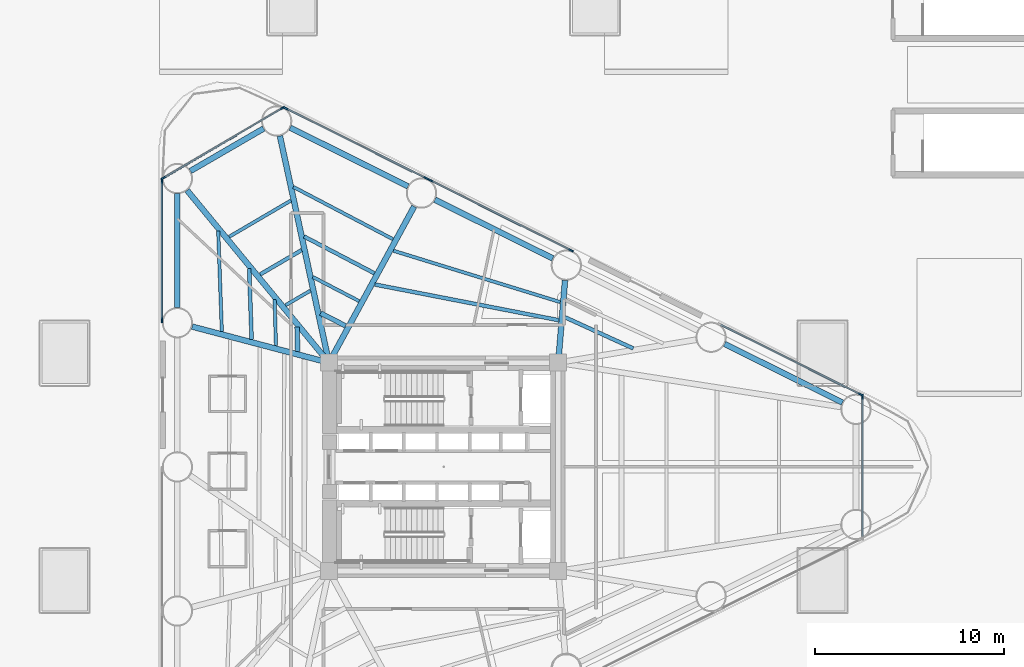
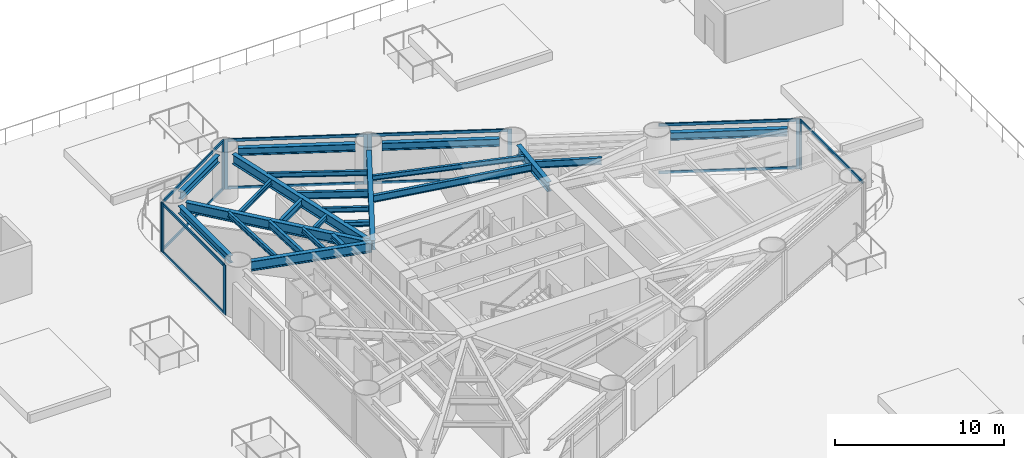
# One storey, part 3 of 13: 24 beams, 21 members, 6 elements without a shape of their own.
"""IFC4 building model written with IfcOpenShell, lengths in metres."""

from ifc_helpers import new_model, si_unit, direction, frame, origin, origin_2d, place, context, subcontext, project, spatial, rectangle, i_section, extrude, source, transform, mapped, material, layer, layer_set, material_profile, profile_set, type_object, element, aggregate, save


model = new_model("IFC4")

# Units and contexts
model_context = context("Model", 3, precision=1e-05, world=origin(), true_north=direction((0.0, 1.0)))
body_context = subcontext(model_context, "Body", "Model", "MODEL_VIEW")
ifc_project = project(units=[si_unit("LENGTHUNIT", "METRE"), si_unit("AREAUNIT", "SQUARE_METRE"), si_unit("VOLUMEUNIT", "CUBIC_METRE"), si_unit("PLANEANGLEUNIT", "RADIAN"), si_unit("MASSUNIT", "GRAM", prefix="KILO")], contexts=[model_context])

# Site, building, storey
site_placement = place(None, origin())
site = spatial("IfcSite", under=ifc_project, at=site_placement, CompositionType="ELEMENT")
building_placement = place(site_placement, origin())
building = spatial("IfcBuilding", under=site, at=building_placement, Name="Yunling Apex Tower", CompositionType="ELEMENT")
storey_placement = place(building_placement, frame((0.0, 0.0, 20.10009765625)))
storey = spatial("IfcBuildingStorey", under=building, at=storey_placement, Name="L06", CompositionType="ELEMENT", Elevation=20.10009765625)

# Beams
ifc_material_1 = material(Name="Steel Q355B", Category="steel")
ifc_material_profile_1 = material_profile(ifc_material_1, i_section(OverallWidth=0.300048828125, OverallDepth=0.5400390625, WebThickness=0.011962890625, FlangeThickness=0.02001953125, FilletRadius=0.02392578125, at=origin_2d()))
ifc_profile_set_1 = profile_set([ifc_material_profile_1], Name="Steel Q355B")
beam_type_1 = type_object("IfcBeamType", Name="BP-SPN-1", PredefinedType="SPANDREL", material=ifc_profile_set_1)
shared_shape_1 = source(origin(), body_context, "Body", "SweptSolid", [
    extrude(i_section(OverallWidth=0.300048828125, OverallDepth=0.5400390625, WebThickness=0.011962890625, FlangeThickness=0.02001953125, FilletRadius=0.02392578125, at=origin_2d()), origin(), (0.0, 0.0, 1.0), 6.950927734375),
])
for number, where, z_axis, x_axis, name in (
    (1, (21.055419921875, 3.392578125, 3.244873046875), (-0.895247556401, 0.445569088646, 0.0), (-0.445569088646, -0.895247556401, 0.0), "L06 Perimeter Spandrel Beam 6"),
    (2, (5.7666015625, 11.002197265625, 3.244873046875), (-0.895247556401, 0.445569088646, 0.0), (-0.445569088646, -0.895247556401, 0.0), "L06 Perimeter Spandrel Beam 8"),
    (3, (-1.8779296875, 14.806884765625, 3.244873046875), (-0.89524058306, 0.445583099368, 0.0), (-0.445583099368, -0.89524058306, 0.0), "L06 Perimeter Spandrel Beam 9"),
):
    element("IfcBeam", number, at=place(storey_placement, frame(where, z_axis=z_axis, x_axis=x_axis)), inside=storey, type_object=beam_type_1, Name=name, PredefinedType="SPANDREL", context=body_context, shape_type="MappedRepresentation", body=[
        mapped(shared_shape_1, transform((0.0, 0.0, 0.0), scale=1.0)),
    ])
shared_shape_2 = source(origin(), body_context, "Body", "SweptSolid", [
    extrude(i_section(OverallWidth=0.300048828125, OverallDepth=0.5400390625, WebThickness=0.011962890625, FlangeThickness=0.02001953125, FilletRadius=0.02392578125, at=origin_2d()), origin(), (0.0, 0.0, 1.0), 4.469970703125),
])
beam_1_placement = place(storey_placement, frame((-9.498291015625, 17.859619140625, 3.244873046875), z_axis=(-0.865055841155, -0.501675584102, 0.0), x_axis=(0.501675584102, -0.865055841155, 0.0)))
element("IfcBeam", 4, at=beam_1_placement, inside=storey, type_object=beam_type_1, Name="L06 Perimeter Spandrel Beam 10", PredefinedType="SPANDREL", context=body_context, shape_type="MappedRepresentation", body=[
    mapped(shared_shape_2, transform((0.0, 0.0, 0.0), scale=1.0)),
])
shared_shape_3 = source(origin(), body_context, "Body", "SweptSolid", [
    extrude(i_section(OverallWidth=0.300048828125, OverallDepth=0.5400390625, WebThickness=0.011962890625, FlangeThickness=0.02001953125, FilletRadius=0.02392578125, at=origin_2d()), origin(), (0.0, 0.0, 1.0), 6.021240234375),
])
beam_2_placement = place(storey_placement, frame((-14.052001953125, 14.4248046875, 3.244873046875), z_axis=(0.0, -1.0, 0.0), x_axis=(1.0, 0.0, 0.0)))
element("IfcBeam", 5, at=beam_2_placement, inside=storey, type_object=beam_type_1, Name="L06 Perimeter Spandrel Beam 11", PredefinedType="SPANDREL", context=body_context, shape_type="MappedRepresentation", body=[
    mapped(shared_shape_3, transform((0.0, 0.0, 0.0), scale=1.0)),
])
ifc_material_profile_2 = material_profile(ifc_material_1, i_section(OverallWidth=0.300048828125, OverallDepth=0.699951171875, WebThickness=0.012939453125, FlangeThickness=0.02392578125, FilletRadius=0.02587890625, at=origin_2d()))
ifc_profile_set_2 = profile_set([ifc_material_profile_2], Name="Steel Q355B")
beam_type_2 = type_object("IfcBeamType", Name="BG-PRI-3", PredefinedType="USERDEFINED", material=ifc_profile_set_2)
shared_shape_4 = source(origin(), body_context, "Body", "SweptSolid", [
    extrude(i_section(OverallWidth=0.300048828125, OverallDepth=0.699951171875, WebThickness=0.012939453125, FlangeThickness=0.02392578125, FilletRadius=0.02587890625, at=origin_2d()), origin(), (0.0, 0.0, 1.0), 12.165283203125),
])
beam_3_placement = place(storey_placement, frame((-8.640625, 17.468017578125, 3.164794921875), z_axis=(0.2115638914, -0.977364169517, 0.0), x_axis=(0.977364169517, 0.2115638914, 0.0)))
element("IfcBeam", 6, at=beam_3_placement, inside=storey, type_object=beam_type_2, Name="L06 Radial Primary Girder R10", ObjectType="GIRDER", PredefinedType="USERDEFINED", context=body_context, shape_type="MappedRepresentation", body=[
    mapped(shared_shape_4, transform((0.0, 0.0, 0.0), scale=1.0)),
])
shared_shape_5 = source(origin(), body_context, "Body", "SweptSolid", [
    extrude(i_section(OverallWidth=0.300048828125, OverallDepth=0.699951171875, WebThickness=0.012939453125, FlangeThickness=0.02392578125, FilletRadius=0.02587890625, at=origin_2d()), origin(), (0.0, 0.0, 1.0), 9.31005859375),
])
beam_4_placement = place(storey_placement, frame((-1.553955078125, 13.74365234375, 3.164794921875), z_axis=(-0.478817221141, -0.877914613581, 0.0), x_axis=(0.877914613581, -0.478817221141, 0.0)))
element("IfcBeam", 7, at=beam_4_placement, inside=storey, type_object=beam_type_2, Name="L06 Radial Primary Girder R09", ObjectType="GIRDER", PredefinedType="USERDEFINED", context=body_context, shape_type="MappedRepresentation", body=[
    mapped(shared_shape_5, transform((0.0, 0.0, 0.0), scale=1.0)),
])
shared_shape_6 = source(origin(), body_context, "Body", "SweptSolid", [
    extrude(i_section(OverallWidth=0.300048828125, OverallDepth=0.699951171875, WebThickness=0.012939453125, FlangeThickness=0.02392578125, FilletRadius=0.02587890625, at=origin_2d()), origin(), (0.0, 0.0, 1.0), 4.278076171875),
])
beam_5_placement = place(storey_placement, frame((6.41064453125, 9.843017578125, 3.164794921875), z_axis=(-0.082747937789, -0.996570508691, 0.0), x_axis=(0.996570508691, -0.082747937789, 0.0)))
element("IfcBeam", 8, at=beam_5_placement, inside=storey, type_object=beam_type_2, Name="L06 Radial Primary Girder R08", ObjectType="GIRDER", PredefinedType="USERDEFINED", context=body_context, shape_type="MappedRepresentation", body=[
    mapped(shared_shape_6, transform((0.0, 0.0, 0.0), scale=1.0)),
])
shared_shape_7 = source(origin(), body_context, "Body", "SweptSolid", [
    extrude(i_section(OverallWidth=0.300048828125, OverallDepth=0.699951171875, WebThickness=0.012939453125, FlangeThickness=0.02392578125, FilletRadius=0.02587890625, at=origin_2d()), origin(), (0.0, 0.0, 1.0), 11.701171875),
])
beam_6_placement = place(storey_placement, frame((-13.538330078125, 14.59521484375, 3.164794921875), z_axis=(0.635615100524, -0.772006116547, 0.0), x_axis=(0.772006116547, 0.635615100524, 0.0)))
element("IfcBeam", 9, at=beam_6_placement, inside=storey, type_object=beam_type_2, Name="L06 Radial Primary Girder R11", ObjectType="GIRDER", PredefinedType="USERDEFINED", context=body_context, shape_type="MappedRepresentation", body=[
    mapped(shared_shape_7, transform((0.0, 0.0, 0.0), scale=1.0)),
])
shared_shape_8 = source(origin(), body_context, "Body", "SweptSolid", [
    extrude(i_section(OverallWidth=0.300048828125, OverallDepth=0.699951171875, WebThickness=0.012939453125, FlangeThickness=0.02392578125, FilletRadius=0.02587890625, at=origin_2d()), origin(), (0.0, 0.0, 1.0), 7.387451171875),
])
beam_7_placement = place(storey_placement, frame((-13.270751953125, 7.403564453125, 3.164794921875), z_axis=(0.966966571797, -0.25490321502, 0.0), x_axis=(0.25490321502, 0.966966571797, 0.0)))
element("IfcBeam", 10, at=beam_7_placement, inside=storey, type_object=beam_type_2, Name="L06 Radial Primary Girder R12", ObjectType="GIRDER", PredefinedType="USERDEFINED", context=body_context, shape_type="MappedRepresentation", body=[
    mapped(shared_shape_8, transform((0.0, 0.0, 0.0), scale=1.0)),
])
ifc_material_profile_3 = material_profile(ifc_material_1, i_section(OverallWidth=0.199951171875, OverallDepth=0.5, WebThickness=0.010009765625, FlangeThickness=0.01611328125, FilletRadius=0.02001953125, at=origin_2d()))
ifc_profile_set_3 = profile_set([ifc_material_profile_3], Name="Steel Q355B")
beam_type_3 = type_object("IfcBeamType", Name="BS-SEC-2", PredefinedType="BEAM", material=ifc_profile_set_3)
shared_shape_9 = source(origin(), body_context, "Body", "SweptSolid", [
    extrude(i_section(OverallWidth=0.199951171875, OverallDepth=0.5, WebThickness=0.010009765625, FlangeThickness=0.01611328125, FilletRadius=0.02001953125, at=origin_2d()), origin(), (0.0, 0.0, 1.0), 4.186279296875),
])
beam_8_placement = place(storey_placement, frame((-3.6572265625, 10.221435546875, 3.264892578125), z_axis=(-0.886028927656, 0.463629959512, 0.0), x_axis=(-0.463629959512, -0.886028927656, 0.0)))
element("IfcBeam", 11, at=beam_8_placement, inside=storey, type_object=beam_type_3, Name="L06 Composite Floor Beam BS-9", PredefinedType="BEAM", context=body_context, shape_type="MappedRepresentation", body=[
    mapped(shared_shape_9, transform((0.0, 0.0, 0.0), scale=1.0)),
])
ifc_material_profile_4 = material_profile(ifc_material_1, i_section(OverallWidth=0.175048828125, OverallDepth=0.35009765625, WebThickness=0.007080078125, FlangeThickness=0.010986328125, FilletRadius=0.013916015625, at=origin_2d()))
ifc_profile_set_4 = profile_set([ifc_material_profile_4], Name="Steel Q355B")
beam_type_4 = type_object("IfcBeamType", Name="BJ-JST-1", PredefinedType="JOIST", material=ifc_profile_set_4)
shared_shape_10 = source(origin(), body_context, "Body", "SweptSolid", [
    extrude(i_section(OverallWidth=0.175048828125, OverallDepth=0.35009765625, WebThickness=0.007080078125, FlangeThickness=0.010986328125, FilletRadius=0.013916015625, at=origin_2d()), origin(), (0.0, 0.0, 1.0), 5.935791015625),
])
beam_9_placement = place(storey_placement, frame((-2.676513671875, 12.02001953125, 3.33984375), z_axis=(-0.885494794786, 0.464649296144, 0.0), x_axis=(-0.464649296144, -0.885494794786, 0.0)))
element("IfcBeam", 12, at=beam_9_placement, inside=storey, type_object=beam_type_4, Name="L06 Composite Floor Joist BJ1-9", PredefinedType="JOIST", context=body_context, shape_type="MappedRepresentation", body=[
    mapped(shared_shape_10, transform((0.0, 0.0, 0.0), scale=1.0)),
])
shared_shape_11 = source(origin(), body_context, "Body", "SweptSolid", [
    extrude(i_section(OverallWidth=0.175048828125, OverallDepth=0.35009765625, WebThickness=0.007080078125, FlangeThickness=0.010986328125, FilletRadius=0.013916015625, at=origin_2d()), origin(), (0.0, 0.0, 1.0), 2.7548828125),
])
beam_10_placement = place(storey_placement, frame((-4.459716796875, 8.75, 3.33984375), z_axis=(-0.886932237595, 0.461899562584, 0.0), x_axis=(-0.461899562584, -0.886932237595, 0.0)))
element("IfcBeam", 13, at=beam_10_placement, inside=storey, type_object=beam_type_4, Name="L06 Composite Floor Joist BJ3-9", PredefinedType="JOIST", context=body_context, shape_type="MappedRepresentation", body=[
    mapped(shared_shape_11, transform((0.0, 0.0, 0.0), scale=1.0)),
])
ifc_material_profile_5 = material_profile(ifc_material_1, i_section(OverallWidth=0.25, OverallDepth=0.340087890625, WebThickness=0.009033203125, FlangeThickness=0.013916015625, FilletRadius=0.01806640625, at=origin_2d()))
ifc_profile_set_5 = profile_set([ifc_material_profile_5], Name="Steel Q355B")
beam_type_5 = type_object("IfcBeamType", Name="BJ-JST-2", PredefinedType="JOIST", material=ifc_profile_set_5)
shared_shape_12 = source(origin(), body_context, "Body", "SweptSolid", [
    extrude(i_section(OverallWidth=0.25, OverallDepth=0.340087890625, WebThickness=0.009033203125, FlangeThickness=0.013916015625, FilletRadius=0.01806640625, at=origin_2d()), origin(), (0.0, 0.0, 1.0), 1.482421875),
])
beam_11_placement = place(storey_placement, frame((-5.173095703125, 7.441650390625, 3.344970703125), z_axis=(-0.888960334438, 0.457984196012, 0.0), x_axis=(-0.457984196012, -0.888960334438, 0.0)))
element("IfcBeam", 14, at=beam_11_placement, inside=storey, type_object=beam_type_5, Name="L06 Composite Floor Joist BJ2-9", PredefinedType="JOIST", context=body_context, shape_type="MappedRepresentation", body=[
    mapped(shared_shape_12, transform((0.0, 0.0, 0.0), scale=1.0)),
])
shared_shape_13 = source(origin(), body_context, "Body", "SweptSolid", [
    extrude(i_section(OverallWidth=0.199951171875, OverallDepth=0.5, WebThickness=0.010009765625, FlangeThickness=0.01611328125, FilletRadius=0.02001953125, at=origin_2d()), origin(), (0.0, 0.0, 1.0), 9.883544921875),
])
beam_12_placement = place(storey_placement, frame((6.076416015625, 7.741943359375, 3.264892578125), z_axis=(-0.981653423938, 0.190673950161, 0.0), x_axis=(-0.190673950161, -0.981653423938, 0.0)))
element("IfcBeam", 15, at=beam_12_placement, inside=storey, type_object=beam_type_3, Name="L06 Composite Floor Beam BS-8", PredefinedType="BEAM", context=body_context, shape_type="MappedRepresentation", body=[
    mapped(shared_shape_13, transform((0.0, 0.0, 0.0), scale=1.0)),
])
shared_shape_14 = source(origin(), body_context, "Body", "SweptSolid", [
    extrude(i_section(OverallWidth=0.175048828125, OverallDepth=0.35009765625, WebThickness=0.007080078125, FlangeThickness=0.010986328125, FilletRadius=0.013916015625, at=origin_2d()), origin(), (0.0, 0.0, 1.0), 9.2158203125),
])
beam_13_placement = place(storey_placement, frame((6.15869140625, 8.6962890625, 3.33984375), z_axis=(-0.955731454849, 0.294240354492, 0.0), x_axis=(-0.294240354492, -0.955731454849, 0.0)))
element("IfcBeam", 16, at=beam_13_placement, inside=storey, type_object=beam_type_4, Name="L06 Composite Floor Joist BJ1-8", PredefinedType="JOIST", context=body_context, shape_type="MappedRepresentation", body=[
    mapped(shared_shape_14, transform((0.0, 0.0, 0.0), scale=1.0)),
])
shared_shape_15 = source(origin(), body_context, "Body", "SweptSolid", [
    extrude(i_section(OverallWidth=0.199951171875, OverallDepth=0.5, WebThickness=0.010009765625, FlangeThickness=0.01611328125, FilletRadius=0.02001953125, at=origin_2d()), origin(), (0.0, 0.0, 1.0), 3.971923828125),
])
beam_14_placement = place(storey_placement, frame((10.01318359375, 6.25048828125, 3.264892578125), z_axis=(-0.909609234888, 0.415464847858, 0.0), x_axis=(-0.415464847858, -0.909609234888, 0.0)))
element("IfcBeam", 17, at=beam_14_placement, inside=storey, type_object=beam_type_3, Name="L06 Composite Floor Beam BS-7", PredefinedType="BEAM", context=body_context, shape_type="MappedRepresentation", body=[
    mapped(shared_shape_15, transform((0.0, 0.0, 0.0), scale=1.0)),
])
shared_shape_16 = source(origin(), body_context, "Body", "SweptSolid", [
    extrude(i_section(OverallWidth=0.199951171875, OverallDepth=0.5, WebThickness=0.010009765625, FlangeThickness=0.01611328125, FilletRadius=0.02001953125, at=origin_2d()), origin(), (0.0, 0.0, 1.0), 2.5380859375),
])
beam_15_placement = place(storey_placement, frame((-7.49169921875, 11.4423828125, 3.264892578125), z_axis=(-0.862768873171, -0.505598527972, 0.0), x_axis=(0.505598527972, -0.862768873171, 0.0)))
element("IfcBeam", 18, at=beam_15_placement, inside=storey, type_object=beam_type_3, Name="L06 Composite Floor Beam BS-10", PredefinedType="BEAM", context=body_context, shape_type="MappedRepresentation", body=[
    mapped(shared_shape_16, transform((0.0, 0.0, 0.0), scale=1.0)),
])
shared_shape_17 = source(origin(), body_context, "Body", "SweptSolid", [
    extrude(i_section(OverallWidth=0.175048828125, OverallDepth=0.35009765625, WebThickness=0.007080078125, FlangeThickness=0.010986328125, FilletRadius=0.013916015625, at=origin_2d()), origin(), (0.0, 0.0, 1.0), 3.77880859375),
])
beam_16_placement = place(storey_placement, frame((-8.05810546875, 14.05810546875, 3.33984375), z_axis=(-0.862642562353, -0.50581400694, 0.0), x_axis=(0.50581400694, -0.862642562353, 0.0)))
element("IfcBeam", 19, at=beam_16_placement, inside=storey, type_object=beam_type_4, Name="L06 Composite Floor Joist BJ1-10", PredefinedType="JOIST", context=body_context, shape_type="MappedRepresentation", body=[
    mapped(shared_shape_17, transform((0.0, 0.0, 0.0), scale=1.0)),
])
shared_shape_18 = source(origin(), body_context, "Body", "SweptSolid", [
    extrude(i_section(OverallWidth=0.175048828125, OverallDepth=0.35009765625, WebThickness=0.007080078125, FlangeThickness=0.010986328125, FilletRadius=0.013916015625, at=origin_2d()), origin(), (0.0, 0.0, 1.0), 1.522705078125),
])
beam_17_placement = place(storey_placement, frame((-7.028564453125, 9.30224609375, 3.33984375), z_axis=(-0.863086068208, -0.505056866962, 0.0), x_axis=(0.505056866962, -0.863086068208, 0.0)))
element("IfcBeam", 20, at=beam_17_placement, inside=storey, type_object=beam_type_4, Name="L06 Composite Floor Joist BJ3-10", PredefinedType="JOIST", context=body_context, shape_type="MappedRepresentation", body=[
    mapped(shared_shape_18, transform((0.0, 0.0, 0.0), scale=1.0)),
])
shared_shape_19 = source(origin(), body_context, "Body", "SweptSolid", [
    extrude(i_section(OverallWidth=0.199951171875, OverallDepth=0.5, WebThickness=0.010009765625, FlangeThickness=0.01611328125, FilletRadius=0.02001953125, at=origin_2d()), origin(), (0.0, 0.0, 1.0), 3.727783203125),
])
beam_18_placement = place(storey_placement, frame((-10.260498046875, 10.46044921875, 3.264892578125), z_axis=(0.034187081609, -0.999415450877, 0.0), x_axis=(0.999415450877, 0.034187081609, 0.0)))
element("IfcBeam", 21, at=beam_18_placement, inside=storey, type_object=beam_type_3, Name="L06 Composite Floor Beam BS-11", PredefinedType="BEAM", context=body_context, shape_type="MappedRepresentation", body=[
    mapped(shared_shape_19, transform((0.0, 0.0, 0.0), scale=1.0)),
])
shared_shape_20 = source(origin(), body_context, "Body", "SweptSolid", [
    extrude(i_section(OverallWidth=0.175048828125, OverallDepth=0.35009765625, WebThickness=0.007080078125, FlangeThickness=0.010986328125, FilletRadius=0.013916015625, at=origin_2d()), origin(), (0.0, 0.0, 1.0), 5.30224609375),
])
beam_19_placement = place(storey_placement, frame((-11.896484375, 12.447998046875, 3.33984375), z_axis=(0.036144814399, -0.999346562706, 0.0), x_axis=(0.999346562706, 0.036144814399, 0.0)))
element("IfcBeam", 22, at=beam_19_placement, inside=storey, type_object=beam_type_4, Name="L06 Composite Floor Joist BJ1-11", PredefinedType="JOIST", context=body_context, shape_type="MappedRepresentation", body=[
    mapped(shared_shape_20, transform((0.0, 0.0, 0.0), scale=1.0)),
])
shared_shape_21 = source(origin(), body_context, "Body", "SweptSolid", [
    extrude(i_section(OverallWidth=0.175048828125, OverallDepth=0.35009765625, WebThickness=0.007080078125, FlangeThickness=0.010986328125, FilletRadius=0.013916015625, at=origin_2d()), origin(), (0.0, 0.0, 1.0), 2.439697265625),
])
beam_20_placement = place(storey_placement, frame((-8.922119140625, 8.83447265625, 3.33984375), z_axis=(0.03092233012, -0.999521790408, 0.0), x_axis=(0.999521790408, 0.03092233012, 0.0)))
element("IfcBeam", 23, at=beam_20_placement, inside=storey, type_object=beam_type_4, Name="L06 Composite Floor Joist BJ3-11", PredefinedType="JOIST", context=body_context, shape_type="MappedRepresentation", body=[
    mapped(shared_shape_21, transform((0.0, 0.0, 0.0), scale=1.0)),
])
shared_shape_22 = source(origin(), body_context, "Body", "SweptSolid", [
    extrude(i_section(OverallWidth=0.25, OverallDepth=0.340087890625, WebThickness=0.009033203125, FlangeThickness=0.013916015625, FilletRadius=0.01806640625, at=origin_2d()), origin(), (0.0, 0.0, 1.0), 1.294921875),
])
beam_21_placement = place(storey_placement, frame((-7.7333984375, 7.38916015625, 3.344970703125), z_axis=(0.023753431789, -0.999717847434, 0.0), x_axis=(0.999717847434, 0.023753431789, 0.0)))
element("IfcBeam", 24, at=beam_21_placement, inside=storey, type_object=beam_type_5, Name="L06 Composite Floor Joist BJ2-11", PredefinedType="JOIST", context=body_context, shape_type="MappedRepresentation", body=[
    mapped(shared_shape_22, transform((0.0, 0.0, 0.0), scale=1.0)),
])

# Curtain wall, member
ifc_material_2 = material(Name="Bronze anodised aluminium", Category="aluminium")
ifc_layer = layer(ifc_material_2, 0.260009765625)
ifc_layer_set = layer_set([ifc_layer], Name="Bronze anodised aluminium")
curtain_wall_type = type_object("IfcCurtainWallType", Name="CW-SYS-2", PredefinedType="NOTDEFINED", material=ifc_layer_set)
curtain_wall_1_placement = place(storey_placement, origin())
curtain_wall_1 = element("IfcCurtainWall", 25, at=curtain_wall_1_placement, inside=storey, type_object=curtain_wall_type, Name="CW-L06-CRN1", PredefinedType="NOTDEFINED")
ifc_material_profile_6 = material_profile(ifc_material_2, rectangle(XDim=0.0849609375, YDim=0.260009765625, at=origin_2d()))
ifc_profile_set_6 = profile_set([ifc_material_profile_6], Name="Bronze anodised aluminium")
member_type_1 = type_object("IfcMemberType", Name="CW-MUL-2", PredefinedType="MULLION", material=ifc_profile_set_6)
shared_shape_23 = source(origin(), body_context, "Body", "SweptSolid", [
    extrude(rectangle(XDim=0.0849609375, YDim=0.260009765625, at=origin_2d()), origin(), (0.0, 0.0, 1.0), 3.614990234375),
])
member_1_placement = place(storey_placement, frame((22.1181640625, 3.70361328125, -0.050048828125), z_axis=(0.0, 0.0, 1.0), x_axis=(-1.0, 0.0, 0.0)))
member_1 = element("IfcMember", 26, at=member_1_placement, type_object=member_type_1, Name="CW-SYS-2 mullion 2", PredefinedType="MULLION", context=body_context, shape_type="MappedRepresentation", body=[
    mapped(shared_shape_23, transform((0.0, 0.0, 0.0), scale=1.0)),
])

curtain_wall_2_placement = place(storey_placement, origin())
curtain_wall_2 = element("IfcCurtainWall", 27, at=curtain_wall_2_placement, inside=storey, type_object=curtain_wall_type, Name="CW-L06-F2-B1", PredefinedType="NOTDEFINED")
member_2_placement = place(storey_placement, frame((22.017333984375, 3.818603515625, -0.050048828125), z_axis=(0.0, 0.0, 1.0), x_axis=(-0.445580190214, -0.895242031011, 0.0)))
member_2 = element("IfcMember", 28, at=member_2_placement, type_object=member_type_1, Name="CW-SYS-2 mullion 1", PredefinedType="MULLION", context=body_context, shape_type="MappedRepresentation", body=[
    mapped(shared_shape_23, transform((0.0, 0.0, 0.0), scale=1.0)),
])

# Curtain wall, members
curtain_wall_3_placement = place(storey_placement, origin())
curtain_wall_3 = element("IfcCurtainWall", 29, at=curtain_wall_3_placement, inside=storey, type_object=curtain_wall_type, Name="CW-L06-F2-B3", PredefinedType="NOTDEFINED")
member_3_placement = place(storey_placement, frame((6.728515625, 11.427978515625, -0.050048828125), z_axis=(0.0, 0.0, 1.0), x_axis=(-0.445580190214, -0.895242031011, 0.0)))
member_3 = element("IfcMember", 30, at=member_3_placement, type_object=member_type_1, Name="CW-SYS-2 mullion 1", PredefinedType="MULLION", context=body_context, shape_type="MappedRepresentation", body=[
    mapped(shared_shape_23, transform((0.0, 0.0, 0.0), scale=1.0)),
])
member_4_placement = place(storey_placement, frame((-0.696533203125, 15.123779296875, -0.050048828125), z_axis=(0.0, 0.0, 1.0), x_axis=(-0.445580190214, -0.895242031011, 0.0)))
member_4 = element("IfcMember", 31, at=member_4_placement, type_object=member_type_1, Name="CW-SYS-2 mullion 2", PredefinedType="MULLION", context=body_context, shape_type="MappedRepresentation", body=[
    mapped(shared_shape_23, transform((0.0, 0.0, 0.0), scale=1.0)),
])

curtain_wall_4_placement = place(storey_placement, origin())
curtain_wall_4 = element("IfcCurtainWall", 32, at=curtain_wall_4_placement, inside=storey, type_object=curtain_wall_type, Name="CW-L06-F2-B4", PredefinedType="NOTDEFINED")
member_5_placement = place(storey_placement, frame((-0.915771484375, 15.23291015625, -0.050048828125), z_axis=(0.0, 0.0, 1.0), x_axis=(-0.445570625003, -0.895246791748, 0.0)))
member_5 = element("IfcMember", 33, at=member_5_placement, type_object=member_type_1, Name="CW-SYS-2 mullion 1", PredefinedType="MULLION", context=body_context, shape_type="MappedRepresentation", body=[
    mapped(shared_shape_23, transform((0.0, 0.0, 0.0), scale=1.0)),
])
member_6_placement = place(storey_placement, frame((-8.341064453125, 18.928466796875, -0.050048828125), z_axis=(0.0, 0.0, 1.0), x_axis=(-0.445570625003, -0.895246791748, 0.0)))
member_6 = element("IfcMember", 34, at=member_6_placement, type_object=member_type_1, Name="CW-SYS-2 mullion 2", PredefinedType="MULLION", context=body_context, shape_type="MappedRepresentation", body=[
    mapped(shared_shape_23, transform((0.0, 0.0, 0.0), scale=1.0)),
])

curtain_wall_5_placement = place(storey_placement, origin())
curtain_wall_5 = element("IfcCurtainWall", 35, at=curtain_wall_5_placement, inside=storey, type_object=curtain_wall_type, Name="CW-L06-CRN2", PredefinedType="NOTDEFINED")
member_7_placement = place(storey_placement, frame((-8.49609375, 18.943603515625, -0.050048828125), z_axis=(0.0, 0.0, 1.0), x_axis=(0.506195543811, -0.86241873323, 0.0)))
member_7 = element("IfcMember", 36, at=member_7_placement, type_object=member_type_1, Name="CW-SYS-2 mullion 1", PredefinedType="MULLION", context=body_context, shape_type="MappedRepresentation", body=[
    mapped(shared_shape_23, transform((0.0, 0.0, 0.0), scale=1.0)),
])
member_8_placement = place(storey_placement, frame((-14.805419921875, 15.240478515625, -0.050048828125), z_axis=(0.0, 0.0, 1.0), x_axis=(0.506195543811, -0.86241873323, 0.0)))
member_8 = element("IfcMember", 37, at=member_8_placement, type_object=member_type_1, Name="CW-SYS-2 mullion 2", PredefinedType="MULLION", context=body_context, shape_type="MappedRepresentation", body=[
    mapped(shared_shape_23, transform((0.0, 0.0, 0.0), scale=1.0)),
])

curtain_wall_6_placement = place(storey_placement, origin())
curtain_wall_6 = element("IfcCurtainWall", 38, at=curtain_wall_6_placement, inside=storey, type_object=curtain_wall_type, Name="CW-L06-F3-B1", PredefinedType="NOTDEFINED")
member_9_placement = place(storey_placement, frame((-14.862060546875, 15.096435546875, -0.050048828125), z_axis=(0.0, 0.0, 1.0), x_axis=(1.0, 0.0, 0.0)))
member_9 = element("IfcMember", 39, at=member_9_placement, type_object=member_type_1, Name="CW-SYS-2 mullion 1", PredefinedType="MULLION", context=body_context, shape_type="MappedRepresentation", body=[
    mapped(shared_shape_23, transform((0.0, 0.0, 0.0), scale=1.0)),
])
member_10_placement = place(storey_placement, frame((-14.862060546875, 7.73193359375, -0.050048828125), z_axis=(0.0, 0.0, 1.0), x_axis=(1.0, 0.0, 0.0)))
member_10 = element("IfcMember", 40, at=member_10_placement, type_object=member_type_1, Name="CW-SYS-2 mullion 2", PredefinedType="MULLION", context=body_context, shape_type="MappedRepresentation", body=[
    mapped(shared_shape_23, transform((0.0, 0.0, 0.0), scale=1.0)),
])

# Member
ifc_material_profile_7 = material_profile(ifc_material_2, rectangle(XDim=0.0849609375, YDim=0.199951171875, at=origin_2d()))
ifc_profile_set_7 = profile_set([ifc_material_profile_7], Name="Bronze anodised aluminium")
member_type_2 = type_object("IfcMemberType", Name="CW-TRN-2", PredefinedType="USERDEFINED", material=ifc_profile_set_7)
shared_shape_24 = source(origin(), body_context, "Body", "SweptSolid", [
    extrude(rectangle(XDim=0.0849609375, YDim=0.199951171875, at=origin_2d()), origin(), (0.0, 0.0, 1.0), 8.217529296875),
])
member_11_placement = place(storey_placement, frame((6.6943359375, 11.445068359375, 0.04248046875), z_axis=(-0.895239752613, 0.445584767852, 0.0), x_axis=(-0.445584767852, -0.895239752613, 0.0)))
member_11 = element("IfcMember", 41, at=member_11_placement, type_object=member_type_2, Name="CW-SYS-2 transom 1.1", ObjectType="TRANSOM", PredefinedType="USERDEFINED", context=body_context, shape_type="MappedRepresentation", body=[
    mapped(shared_shape_24, transform((0.0, 0.0, 0.0), scale=1.0)),
])

member_12_placement = place(storey_placement, frame((6.6943359375, 11.445068359375, 3.472412109375), z_axis=(-0.895239752613, 0.445584767852, 0.0), x_axis=(-0.445584767852, -0.895239752613, 0.0)))
member_12 = element("IfcMember", 42, at=member_12_placement, type_object=member_type_2, Name="CW-SYS-2 transom 1.2", ObjectType="TRANSOM", PredefinedType="USERDEFINED", context=body_context, shape_type="MappedRepresentation", body=[
    mapped(shared_shape_24, transform((0.0, 0.0, 0.0), scale=1.0)),
])

aggregate(curtain_wall_3, [member_3, member_4, member_11, member_12])

shared_shape_25 = source(origin(), body_context, "Body", "SweptSolid", [
    extrude(rectangle(XDim=0.0849609375, YDim=0.199951171875, at=origin_2d()), origin(), (0.0, 0.0, 1.0), 8.21728515625),
])
member_13_placement = place(storey_placement, frame((21.983154296875, 3.835693359375, 0.04248046875), z_axis=(-0.895245705371, 0.445572807761, 0.0), x_axis=(-0.445572807761, -0.895245705371, 0.0)))
member_13 = element("IfcMember", 43, at=member_13_placement, type_object=member_type_2, Name="CW-SYS-2 transom 1.1", ObjectType="TRANSOM", PredefinedType="USERDEFINED", context=body_context, shape_type="MappedRepresentation", body=[
    mapped(shared_shape_25, transform((0.0, 0.0, 0.0), scale=1.0)),
])

member_14_placement = place(storey_placement, frame((21.983154296875, 3.835693359375, 3.472412109375), z_axis=(-0.895245705371, 0.445572807761, 0.0), x_axis=(-0.445572807761, -0.895245705371, 0.0)))
member_14 = element("IfcMember", 44, at=member_14_placement, type_object=member_type_2, Name="CW-SYS-2 transom 1.2", ObjectType="TRANSOM", PredefinedType="USERDEFINED", context=body_context, shape_type="MappedRepresentation", body=[
    mapped(shared_shape_25, transform((0.0, 0.0, 0.0), scale=1.0)),
])

aggregate(curtain_wall_2, [member_2, member_13, member_14])

member_15_placement = place(storey_placement, frame((-0.9501953125, 15.25, 0.04248046875), z_axis=(-0.895245705371, 0.445572807761, 0.0), x_axis=(-0.445572807761, -0.895245705371, 0.0)))
member_15 = element("IfcMember", 45, at=member_15_placement, type_object=member_type_2, Name="CW-SYS-2 transom 1.1", ObjectType="TRANSOM", PredefinedType="USERDEFINED", context=body_context, shape_type="MappedRepresentation", body=[
    mapped(shared_shape_25, transform((0.0, 0.0, 0.0), scale=1.0)),
])

member_16_placement = place(storey_placement, frame((-0.9501953125, 15.25, 3.472412109375), z_axis=(-0.895245705371, 0.445572807761, 0.0), x_axis=(-0.445572807761, -0.895245705371, 0.0)))
member_16 = element("IfcMember", 46, at=member_16_placement, type_object=member_type_2, Name="CW-SYS-2 transom 1.2", ObjectType="TRANSOM", PredefinedType="USERDEFINED", context=body_context, shape_type="MappedRepresentation", body=[
    mapped(shared_shape_25, transform((0.0, 0.0, 0.0), scale=1.0)),
])

aggregate(curtain_wall_4, [member_5, member_6, member_15, member_16])

shared_shape_26 = source(origin(), body_context, "Body", "SweptSolid", [
    extrude(rectangle(XDim=0.0849609375, YDim=0.199951171875, at=origin_2d()), origin(), (0.0, 0.0, 1.0), 7.33056640625),
])
member_17_placement = place(storey_placement, frame((22.1181640625, -3.665283203125, 3.472412109375), z_axis=(0.0, 1.0, 0.0), x_axis=(-1.0, 0.0, 0.0)))
member_17 = element("IfcMember", 47, at=member_17_placement, type_object=member_type_2, Name="CW-SYS-2 transom 1.2", ObjectType="TRANSOM", PredefinedType="USERDEFINED", context=body_context, shape_type="MappedRepresentation", body=[
    mapped(shared_shape_26, transform((0.0, 0.0, 0.0), scale=1.0)),
])

aggregate(curtain_wall_1, [member_1, member_17])

shared_shape_27 = source(origin(), body_context, "Body", "SweptSolid", [
    extrude(rectangle(XDim=0.0849609375, YDim=0.199951171875, at=origin_2d()), origin(), (0.0, 0.0, 1.0), 7.239501953125),
])
member_18_placement = place(storey_placement, frame((-8.529052734375, 18.92431640625, 0.04248046875), z_axis=(-0.862419304353, -0.506194570772, 0.0), x_axis=(0.506194570772, -0.862419304353, 0.0)))
member_18 = element("IfcMember", 48, at=member_18_placement, type_object=member_type_2, Name="CW-SYS-2 transom 1.1", ObjectType="TRANSOM", PredefinedType="USERDEFINED", context=body_context, shape_type="MappedRepresentation", body=[
    mapped(shared_shape_27, transform((0.0, 0.0, 0.0), scale=1.0)),
])

member_19_placement = place(storey_placement, frame((-8.529052734375, 18.92431640625, 3.472412109375), z_axis=(-0.862419304353, -0.506194570772, 0.0), x_axis=(0.506194570772, -0.862419304353, 0.0)))
member_19 = element("IfcMember", 49, at=member_19_placement, type_object=member_type_2, Name="CW-SYS-2 transom 1.2", ObjectType="TRANSOM", PredefinedType="USERDEFINED", context=body_context, shape_type="MappedRepresentation", body=[
    mapped(shared_shape_27, transform((0.0, 0.0, 0.0), scale=1.0)),
])

aggregate(curtain_wall_5, [member_7, member_8, member_18, member_19])

shared_shape_28 = source(origin(), body_context, "Body", "SweptSolid", [
    extrude(rectangle(XDim=0.0849609375, YDim=0.199951171875, at=origin_2d()), origin(), (0.0, 0.0, 1.0), 7.287841796875),
])
member_20_placement = place(storey_placement, frame((-14.862060546875, 15.05810546875, 0.04248046875), z_axis=(0.0, -1.0, 0.0), x_axis=(1.0, 0.0, 0.0)))
member_20 = element("IfcMember", 50, at=member_20_placement, type_object=member_type_2, Name="CW-SYS-2 transom 1.1", ObjectType="TRANSOM", PredefinedType="USERDEFINED", context=body_context, shape_type="MappedRepresentation", body=[
    mapped(shared_shape_28, transform((0.0, 0.0, 0.0), scale=1.0)),
])

member_21_placement = place(storey_placement, frame((-14.862060546875, 15.05810546875, 3.472412109375), z_axis=(0.0, -1.0, 0.0), x_axis=(1.0, 0.0, 0.0)))
member_21 = element("IfcMember", 51, at=member_21_placement, type_object=member_type_2, Name="CW-SYS-2 transom 1.2", ObjectType="TRANSOM", PredefinedType="USERDEFINED", context=body_context, shape_type="MappedRepresentation", body=[
    mapped(shared_shape_28, transform((0.0, 0.0, 0.0), scale=1.0)),
])

aggregate(curtain_wall_6, [member_9, member_10, member_20, member_21])

save(model, "model.ifc")
